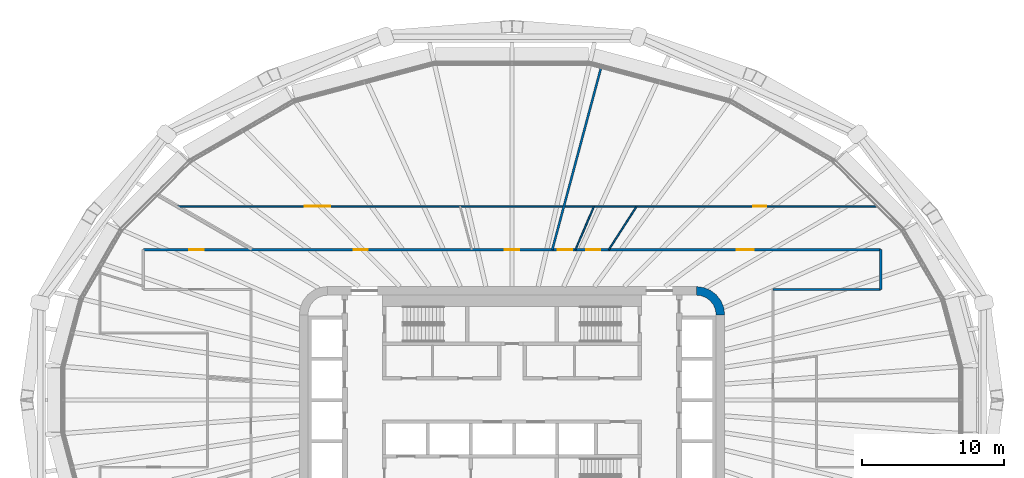
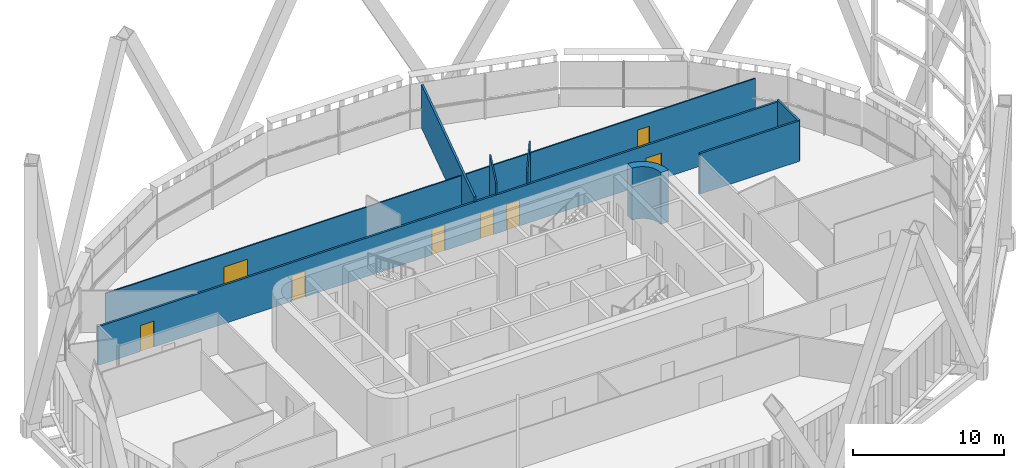
# One storey, part 18 of 26: 8 doors, 8 walls, 8 openings.
"""IFC4 building model written with IfcOpenShell, lengths in metres."""

from ifc_helpers import new_model, si_unit, direction, frame, frame_2d, origin, place, context, subcontext, project, spatial, polyline, rectangle, outline, extrude, material, layer, layer_set, type_object, element, fill, save


model = new_model("IFC4")

# Units and contexts
model_context = context("Model", 3, precision=1e-05, world=origin(), true_north=direction((0.0, 1.0)))
body_context = subcontext(model_context, "Body", "Model", "MODEL_VIEW")
ifc_project = project(units=[si_unit("LENGTHUNIT", "METRE"), si_unit("AREAUNIT", "SQUARE_METRE"), si_unit("VOLUMEUNIT", "CUBIC_METRE"), si_unit("PLANEANGLEUNIT", "RADIAN"), si_unit("MASSUNIT", "GRAM", prefix="KILO")], contexts=[model_context])

# Site, building, storey
site_placement = place(None, origin())
site = spatial("IfcSite", under=ifc_project, at=site_placement, CompositionType="ELEMENT")
building_placement = place(site_placement, origin())
building = spatial("IfcBuilding", under=site, at=building_placement, Name="Sahrelin Media Tower", CompositionType="ELEMENT")
storey_placement = place(building_placement, frame((0.0, 0.0, 131.39990234375)))
storey = spatial("IfcBuildingStorey", under=building, at=storey_placement, Name="L26", CompositionType="ELEMENT", Elevation=131.39990234375)

# Walls
ifc_material_1 = material(Name="Concrete C60/75", Category="concrete")
ifc_layer_1 = layer(ifc_material_1, 0.60009765625)
ifc_layer_set_1 = layer_set([ifc_layer_1], Name="Core wall 600")
wall_type_1 = type_object("IfcWallType", Name="Core wall 600", PredefinedType="SHEAR", material=ifc_layer_set_1)
wall_1_placement = place(storey_placement, origin())
element("IfcWall", 1, at=wall_1_placement, inside=storey, type_object=wall_type_1, Name="Core wall corner NE L26", PredefinedType="SHEAR", context=body_context, shape_type="SweptSolid", body=[
    extrude(outline(polyline([(13.0, 8.0), (13.0, 7.394775390625), (13.361083984375, 7.347412109375), (13.697509765625, 7.2080078125), (13.986328125, 6.986328125), (14.2080078125, 6.697509765625), (14.347412109375, 6.361083984375), (14.394775390625, 6.0), (15.0, 6.0), (14.931884765625, 6.517578125), (14.732177734375, 7.0), (14.414306640625, 7.414306640625), (14.0, 7.732177734375), (13.517578125, 7.931884765625), (13.0, 8.0)])), origin(), (0.0, 0.0, 1.0), 4.2001953125),
])
ifc_material_2 = material(Name="Fire-rated gypsum board partition")
ifc_layer_2 = layer(ifc_material_2, 0.14990234375)
ifc_layer_set_2 = layer_set([ifc_layer_2], Name="Fire-rated partition 150")
wall_type_2 = type_object("IfcWallType", Name="Fire-rated partition 150", PredefinedType="PARTITIONING", material=ifc_layer_set_2)
wall_2_placement = place(storey_placement, frame((18.39990234375, 7.800048828125, 0.0), z_axis=(0.0, 0.0, 1.0), x_axis=(1.0, 0.0, 0.0)))
element("IfcWall", 2, at=wall_2_placement, inside=storey, type_object=wall_type_2, Name="Wall", PredefinedType="PARTITIONING", context=body_context, shape_type="SweptSolid", body=[
    extrude(rectangle(XDim=7.60009765625, YDim=0.14990234375, at=frame_2d((3.800048828125, 0.0))), origin(), (0.0, 0.0, 1.0), 3.276123046875),
])

# Wall, openings, doors
wall_3_placement = place(storey_placement, frame((-26.0, 10.60009765625, 0.0), z_axis=(0.0, 0.0, 1.0), x_axis=(1.0, 0.0, 0.0)))
wall_3 = element("IfcWall", 3, at=wall_3_placement, inside=storey, type_object=wall_type_2, Name="Wall", PredefinedType="PARTITIONING", context=body_context, shape_type="SweptSolid", body=[
    extrude(rectangle(XDim=52.0, YDim=0.14990234375, at=frame_2d((26.0, 0.0))), origin(), (0.0, 0.0, 1.0), 3.127197265625),
])
opening_1_placement = place(wall_3_placement, frame((41.86279296875, 0.0, 0.0)))
opening_1 = element("IfcOpeningElement", 4, at=opening_1_placement, cuts=wall_3, Name="Opening L26-D26", PredefinedType="OPENING", context=body_context, shape_type="SweptSolid", body=[
    extrude(rectangle(XDim=1.199951171875, YDim=2.10009765625, at=frame_2d((0.60009765625, 1.050048828125))), frame((0.0, 0.074951171875, 0.0), z_axis=(0.0, -1.0, 0.0), x_axis=(1.0, 0.0, 0.0)), (0.0, 0.0, 1.0), 0.14990234375),
])
opening_2_placement = place(wall_3_placement, frame((31.22509765625, 0.0, 0.0)))
opening_2 = element("IfcOpeningElement", 5, at=opening_2_placement, cuts=wall_3, Name="Opening L26-D27", PredefinedType="OPENING", context=body_context, shape_type="SweptSolid", body=[
    extrude(rectangle(XDim=1.0, YDim=2.10009765625, at=frame_2d((0.5, 1.050048828125))), frame((0.0, 0.074951171875, 0.0), z_axis=(0.0, -1.0, 0.0), x_axis=(1.0, 0.0, 0.0)), (0.0, 0.0, 1.0), 0.14990234375),
])
opening_3_placement = place(wall_3_placement, frame((29.23388671875, 0.0, 0.0)))
opening_3 = element("IfcOpeningElement", 6, at=opening_3_placement, cuts=wall_3, Name="Opening L26-D28", PredefinedType="OPENING", context=body_context, shape_type="SweptSolid", body=[
    extrude(rectangle(XDim=1.0, YDim=2.10009765625, at=frame_2d((0.5, 1.050048828125))), frame((0.0, 0.074951171875, 0.0), z_axis=(0.0, -1.0, 0.0), x_axis=(1.0, 0.0, 0.0)), (0.0, 0.0, 1.0), 0.14990234375),
])
opening_4_placement = place(wall_3_placement, frame((25.5, 0.0, 0.0)))
opening_4 = element("IfcOpeningElement", 7, at=opening_4_placement, cuts=wall_3, Name="Opening L26-D30", PredefinedType="OPENING", context=body_context, shape_type="SweptSolid", body=[
    extrude(rectangle(XDim=1.0, YDim=2.10009765625, at=frame_2d((0.5, 1.050048828125))), frame((0.0, 0.074951171875, 0.0), z_axis=(0.0, -1.0, 0.0), x_axis=(1.0, 0.0, 0.0)), (0.0, 0.0, 1.0), 0.14990234375),
])
opening_5_placement = place(wall_3_placement, frame((14.829833984375, 0.0, 0.0)))
opening_5 = element("IfcOpeningElement", 8, at=opening_5_placement, cuts=wall_3, Name="Opening L26-D31", PredefinedType="OPENING", context=body_context, shape_type="SweptSolid", body=[
    extrude(rectangle(XDim=1.0, YDim=2.10009765625, at=frame_2d((0.5, 1.050048828125))), frame((0.0, 0.074951171875, 0.0), z_axis=(0.0, -1.0, 0.0), x_axis=(1.0, 0.0, 0.0)), (0.0, 0.0, 1.0), 0.14990234375),
])
opening_6_placement = place(wall_3_placement, frame((3.2490234375, 0.0, 0.0)))
opening_6 = element("IfcOpeningElement", 9, at=opening_6_placement, cuts=wall_3, Name="Opening L26-D33", PredefinedType="OPENING", context=body_context, shape_type="SweptSolid", body=[
    extrude(rectangle(XDim=1.0, YDim=2.10009765625, at=frame_2d((0.5, 1.050048828125))), frame((0.0, 0.074951171875, 0.0), z_axis=(0.0, -1.0, 0.0), x_axis=(1.0, 0.0, 0.0)), (0.0, 0.0, 1.0), 0.14990234375),
])
ifc_material_3 = material(Name="Steel fire door leaf", Category="steel")
door_type_1 = type_object("IfcDoorType", Name="Fire door 1000 x 2100 EI 60", OperationType="NOTDEFINED", PredefinedType="DOOR", material=ifc_material_3)
door_1_placement = place(opening_2_placement, origin())
door_1 = element("IfcDoor", 10, at=door_1_placement, inside=storey, type_object=door_type_1, Name="Fire door", OperationType="SINGLE_SWING_RIGHT", OverallHeight=2.10009765625, OverallWidth=1.0, PredefinedType="DOOR", context=body_context, shape_type="SweptSolid", body=[
    extrude(rectangle(XDim=1.0, YDim=2.10009765625, at=frame_2d((0.5, 1.050048828125))), frame((0.0, 0.02490234375, 0.0), z_axis=(0.0, -1.0, 0.0), x_axis=(1.0, 0.0, 0.0)), (0.0, 0.0, 1.0), 0.050048828125),
])
fill(opening_2, door_1)
door_2_placement = place(opening_3_placement, origin())
door_2 = element("IfcDoor", 11, at=door_2_placement, inside=storey, type_object=door_type_1, Name="Fire door", OperationType="SINGLE_SWING_RIGHT", OverallHeight=2.10009765625, OverallWidth=1.0, PredefinedType="DOOR", context=body_context, shape_type="SweptSolid", body=[
    extrude(rectangle(XDim=1.0, YDim=2.10009765625, at=frame_2d((0.5, 1.050048828125))), frame((0.0, 0.02490234375, 0.0), z_axis=(0.0, -1.0, 0.0), x_axis=(1.0, 0.0, 0.0)), (0.0, 0.0, 1.0), 0.050048828125),
])
fill(opening_3, door_2)
door_3_placement = place(opening_4_placement, origin())
door_3 = element("IfcDoor", 12, at=door_3_placement, inside=storey, type_object=door_type_1, Name="Fire door", OperationType="SINGLE_SWING_LEFT", OverallHeight=2.10009765625, OverallWidth=1.0, PredefinedType="DOOR", context=body_context, shape_type="SweptSolid", body=[
    extrude(rectangle(XDim=1.0, YDim=2.10009765625, at=frame_2d((0.5, 1.050048828125))), frame((0.0, 0.02490234375, 0.0), z_axis=(0.0, -1.0, 0.0), x_axis=(1.0, 0.0, 0.0)), (0.0, 0.0, 1.0), 0.050048828125),
])
fill(opening_4, door_3)
door_4_placement = place(opening_5_placement, origin())
door_4 = element("IfcDoor", 13, at=door_4_placement, inside=storey, type_object=door_type_1, Name="Fire door", OperationType="SINGLE_SWING_LEFT", OverallHeight=2.10009765625, OverallWidth=1.0, PredefinedType="DOOR", context=body_context, shape_type="SweptSolid", body=[
    extrude(rectangle(XDim=1.0, YDim=2.10009765625, at=frame_2d((0.5, 1.050048828125))), frame((0.0, 0.02490234375, 0.0), z_axis=(0.0, -1.0, 0.0), x_axis=(1.0, 0.0, 0.0)), (0.0, 0.0, 1.0), 0.050048828125),
])
fill(opening_5, door_4)
door_5_placement = place(opening_6_placement, origin())
door_5 = element("IfcDoor", 14, at=door_5_placement, inside=storey, type_object=door_type_1, Name="Fire door", OperationType="SINGLE_SWING_RIGHT", OverallHeight=2.10009765625, OverallWidth=1.0, PredefinedType="DOOR", context=body_context, shape_type="SweptSolid", body=[
    extrude(rectangle(XDim=1.0, YDim=2.10009765625, at=frame_2d((0.5, 1.050048828125))), frame((0.0, 0.02490234375, 0.0), z_axis=(0.0, -1.0, 0.0), x_axis=(1.0, 0.0, 0.0)), (0.0, 0.0, 1.0), 0.050048828125),
])
fill(opening_6, door_5)
door_type_2 = type_object("IfcDoorType", Name="Service double door 1200 x 2100 EI 60", OperationType="DOUBLE_DOOR_SINGLE_SWING", PredefinedType="DOOR", material=ifc_material_3)
door_6_placement = place(opening_1_placement, origin())
door_6 = element("IfcDoor", 15, at=door_6_placement, inside=storey, type_object=door_type_2, Name="Service double door", OperationType="DOUBLE_DOOR_SINGLE_SWING", OverallHeight=2.10009765625, OverallWidth=1.199951171875, PredefinedType="DOOR", context=body_context, shape_type="SweptSolid", body=[
    extrude(rectangle(XDim=1.199951171875, YDim=2.10009765625, at=frame_2d((0.60009765625, 1.050048828125))), frame((0.0, 0.02490234375, 0.0), z_axis=(0.0, -1.0, 0.0), x_axis=(1.0, 0.0, 0.0)), (0.0, 0.0, 1.0), 0.050048828125),
])
fill(opening_1, door_6)

# Walls
wall_4_placement = place(storey_placement, frame((2.840087890625, 10.60009765625, 0.0), z_axis=(0.0, 0.0, 1.0), x_axis=(0.258833974298, 0.9659218259, 0.0)))
element("IfcWall", 16, at=wall_4_placement, inside=storey, type_object=wall_type_2, Name="Wall", PredefinedType="PARTITIONING", context=body_context, shape_type="SweptSolid", body=[
    extrude(rectangle(XDim=13.463623046875, YDim=0.14990234375, at=frame_2d((6.73193359375, 0.0))), origin(), (0.0, 0.0, 1.0), 3.501708984375),
])
wall_5_placement = place(storey_placement, frame((26.0, 7.800048828125, 0.0), z_axis=(0.0, 0.0, 1.0), x_axis=(0.0, 1.0, 0.0)))
element("IfcWall", 17, at=wall_5_placement, inside=storey, type_object=wall_type_2, Name="Wall", PredefinedType="PARTITIONING", context=body_context, shape_type="SweptSolid", body=[
    extrude(rectangle(XDim=2.800048828125, YDim=0.14990234375, at=frame_2d((1.39990234375, 0.0))), origin(), (0.0, 0.0, 1.0), 3.276123046875),
])

# Wall, openings, doors
ifc_material_4 = material(Name="Gypsum board partition")
ifc_layer_3 = layer(ifc_material_4, 0.10009765625)
ifc_layer_set_3 = layer_set([ifc_layer_3], Name="Partition 100")
wall_type_3 = type_object("IfcWallType", Name="Partition 100", PredefinedType="PARTITIONING", material=ifc_layer_set_3)
wall_6_placement = place(storey_placement, frame((-23.658935546875, 13.659912109375, 0.0), z_axis=(0.0, 0.0, 1.0), x_axis=(1.0, 0.0, 0.0)))
wall_6 = element("IfcWall", 18, at=wall_6_placement, inside=storey, type_object=wall_type_3, Name="Wall", PredefinedType="PARTITIONING", context=body_context, shape_type="SweptSolid", body=[
    extrude(rectangle(XDim=49.69482421875, YDim=0.10009765625, at=frame_2d((24.847412109375, 0.0))), origin(), (0.0, 0.0, 1.0), 3.127197265625),
])
opening_7_placement = place(wall_6_placement, frame((40.674560546875, 0.0, 0.0)))
opening_7 = element("IfcOpeningElement", 19, at=opening_7_placement, cuts=wall_6, Name="Opening L26-D29", PredefinedType="OPENING", context=body_context, shape_type="SweptSolid", body=[
    extrude(rectangle(XDim=0.89990234375, YDim=2.10009765625, at=frame_2d((0.449951171875, 1.050048828125))), frame((0.0, 0.050048828125, 0.0), z_axis=(0.0, -1.0, 0.0), x_axis=(1.0, 0.0, 0.0)), (0.0, 0.0, 1.0), 0.10009765625),
])
opening_8_placement = place(wall_6_placement, frame((9.04931640625, 0.0, 0.0)))
opening_8 = element("IfcOpeningElement", 20, at=opening_8_placement, cuts=wall_6, Name="Opening L26-D32", PredefinedType="OPENING", context=body_context, shape_type="SweptSolid", body=[
    extrude(rectangle(XDim=1.800048828125, YDim=2.10009765625, at=frame_2d((0.89990234375, 1.050048828125))), frame((0.0, 0.050048828125, 0.0), z_axis=(0.0, -1.0, 0.0), x_axis=(1.0, 0.0, 0.0)), (0.0, 0.0, 1.0), 0.10009765625),
])
ifc_material_5 = material(Name="Timber door leaf", Category="wood")
door_type_3 = type_object("IfcDoorType", Name="Double door 1800 x 2100", OperationType="DOUBLE_DOOR_SINGLE_SWING", PredefinedType="DOOR", material=ifc_material_5)
door_7_placement = place(opening_8_placement, origin())
door_7 = element("IfcDoor", 21, at=door_7_placement, inside=storey, type_object=door_type_3, Name="Double door", OperationType="DOUBLE_DOOR_SINGLE_SWING", OverallHeight=2.10009765625, OverallWidth=1.800048828125, PredefinedType="DOOR", context=body_context, shape_type="SweptSolid", body=[
    extrude(rectangle(XDim=1.800048828125, YDim=2.10009765625, at=frame_2d((0.89990234375, 1.050048828125))), frame((0.0, 0.02490234375, 0.0), z_axis=(0.0, -1.0, 0.0), x_axis=(1.0, 0.0, 0.0)), (0.0, 0.0, 1.0), 0.050048828125),
])
fill(opening_8, door_7)
door_type_4 = type_object("IfcDoorType", Name="Single door 900 x 2100", OperationType="NOTDEFINED", PredefinedType="DOOR", material=ifc_material_5)
door_8_placement = place(opening_7_placement, origin())
door_8 = element("IfcDoor", 22, at=door_8_placement, inside=storey, type_object=door_type_4, Name="Single door", OperationType="SINGLE_SWING_RIGHT", OverallHeight=2.10009765625, OverallWidth=0.89990234375, PredefinedType="DOOR", context=body_context, shape_type="SweptSolid", body=[
    extrude(rectangle(XDim=0.89990234375, YDim=2.10009765625, at=frame_2d((0.449951171875, 1.050048828125))), frame((0.0, 0.02490234375, 0.0), z_axis=(0.0, -1.0, 0.0), x_axis=(1.0, 0.0, 0.0)), (0.0, 0.0, 1.0), 0.050048828125),
])
fill(opening_7, door_8)

# Walls
wall_7_placement = place(storey_placement, frame((6.824951171875, 10.60009765625, 0.0), z_axis=(0.0, 0.0, 1.0), x_axis=(0.541330496355, 0.840809903436, 0.0)))
element("IfcWall", 23, at=wall_7_placement, inside=storey, type_object=wall_type_3, Name="Wall", PredefinedType="PARTITIONING", context=body_context, shape_type="SweptSolid", body=[
    extrude(rectangle(XDim=3.63916015625, YDim=0.10009765625, at=frame_2d((1.819580078125, 0.0))), origin(), (0.0, 0.0, 1.0), 4.050048828125),
])
wall_8_placement = place(storey_placement, frame((4.48388671875, 10.60009765625, 0.0), z_axis=(0.0, 0.0, 1.0), x_axis=(0.389551289035, 0.921004773718, 0.0)))
element("IfcWall", 24, at=wall_8_placement, inside=storey, type_object=wall_type_3, Name="Wall", PredefinedType="PARTITIONING", context=body_context, shape_type="SweptSolid", body=[
    extrude(rectangle(XDim=3.322265625, YDim=0.10009765625, at=frame_2d((1.6611328125, 0.0))), origin(), (0.0, 0.0, 1.0), 4.050048828125),
])

save(model, "model.ifc")
